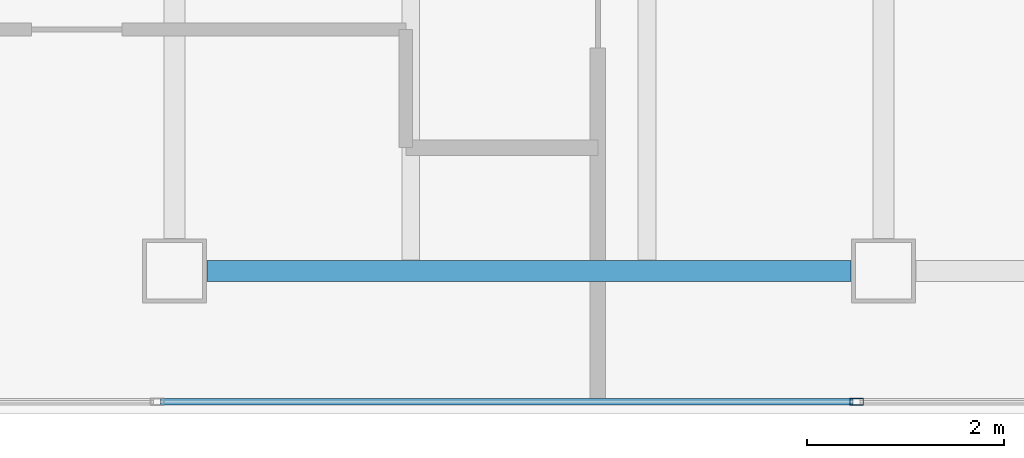
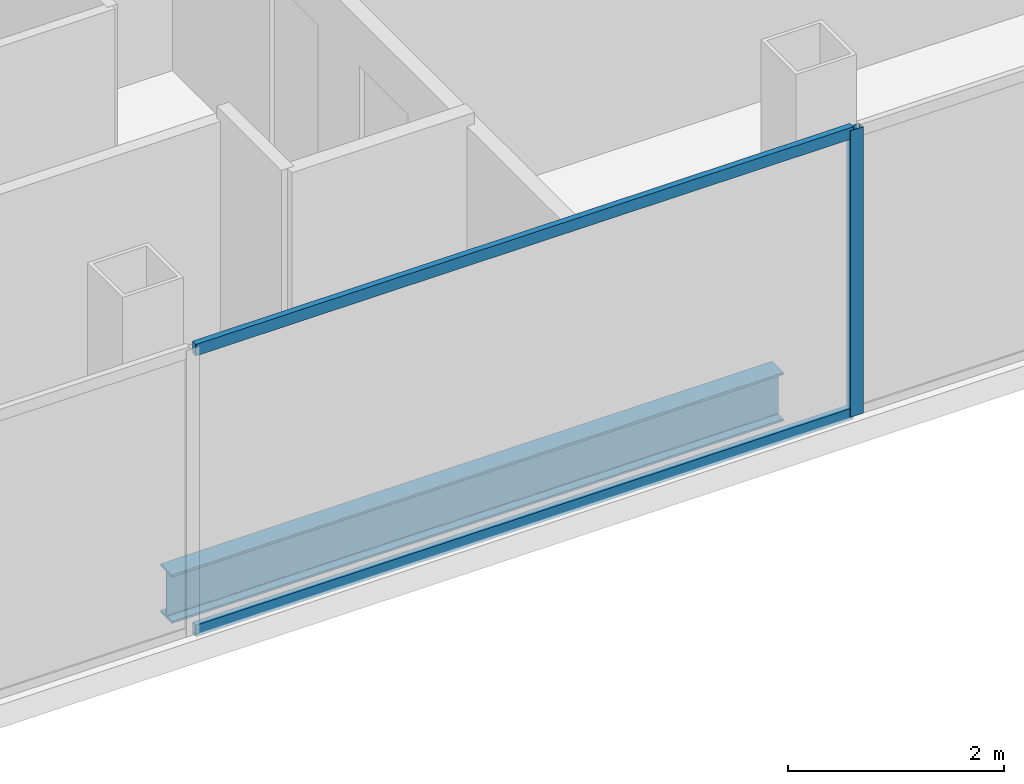
# One storey, part 6 of 24: 3 members, 1 beam, 1 element without a shape of its own.
"""IFC4 building model written with IfcOpenShell, lengths in metres."""

from ifc_helpers import new_model, si_unit, direction, frame, origin, origin_2d, place, context, subcontext, project, spatial, hollow_rectangle, i_section, extrude, material, material_profile, profile_set, type_object, element, aggregate, save


model = new_model("IFC4")

# Units and contexts
model_context = context("Model", 3, precision=1e-05, world=origin(), true_north=direction((0.0, 1.0)))
body_context = subcontext(model_context, "Body", "Model", "MODEL_VIEW")
ifc_project = project(units=[si_unit("LENGTHUNIT", "METRE"), si_unit("AREAUNIT", "SQUARE_METRE"), si_unit("VOLUMEUNIT", "CUBIC_METRE"), si_unit("PLANEANGLEUNIT", "RADIAN"), si_unit("MASSUNIT", "GRAM", prefix="KILO")], contexts=[model_context])

# Site, building, storey
site_placement = place(None, origin())
site = spatial("IfcSite", under=ifc_project, at=site_placement, CompositionType="ELEMENT")
building_placement = place(site_placement, origin())
building = spatial("IfcBuilding", under=site, at=building_placement, Name="Cobrela Telecom Tower", CompositionType="ELEMENT")
storey_placement = place(building_placement, frame((0.0, 0.0, 244.64990234375)))
storey = spatial("IfcBuildingStorey", under=building, at=storey_placement, Name="L63", CompositionType="ELEMENT", Elevation=244.64990234375)

# Beam
ifc_material_1 = material(Name="Steel ASTM A992 Grade 50", Category="steel")
ifc_material_profile_1 = material_profile(ifc_material_1, i_section(OverallWidth=0.212890625, OverallDepth=0.549072265625, WebThickness=0.0146484375, FlangeThickness=0.023681640625, FilletRadius=0.013916015625, at=origin_2d()), Name="W21X93")
ifc_profile_set_1 = profile_set([ifc_material_profile_1], Name="Steel ASTM A992 Grade 50")
beam_type = type_object("IfcBeamType", Name="BM-GIRD-08", PredefinedType="USERDEFINED", material=ifc_profile_set_1)
beam_placement = place(storey_placement, frame((21.929931640625, 7.85009765625, -0.534423828125), z_axis=(1.0, 0.0, 0.0), x_axis=(0.0, 1.0, 0.0)))
element("IfcBeam", 1, at=beam_placement, inside=storey, type_object=beam_type, Name="L63 Primary Girder X03", ObjectType="GIRDER", PredefinedType="USERDEFINED", context=body_context, shape_type="SweptSolid", body=[
    extrude(i_section(OverallWidth=0.212890625, OverallDepth=0.549072265625, WebThickness=0.0146484375, FlangeThickness=0.023681640625, FilletRadius=0.013916015625, at=origin_2d()), origin(), (0.0, 0.0, 1.0), 6.5400390625),
])

# Curtain wall, members
ifc_material_2 = material(Name="Anodized Bronze Aluminium 6063-T6", Category="aluminium")
curtain_wall_type = type_object("IfcCurtainWallType", Name="CW-SYS-OFF-HI", PredefinedType="USERDEFINED", material=ifc_material_2)
curtain_wall_placement = place(storey_placement, origin())
curtain_wall = element("IfcCurtainWall", 2, at=curtain_wall_placement, inside=storey, type_object=curtain_wall_type, Name="L63 Unitised Bronze Curtain Wall 15", ObjectType="UNITISED CURTAIN WALL", PredefinedType="USERDEFINED")
ifc_material_profile_2 = material_profile(ifc_material_2, hollow_rectangle(XDim=0.070068359375, YDim=0.139892578125, WallThickness=0.00390625, at=origin_2d()), Name="ALU 70x140x4")
ifc_profile_set_2 = profile_set([ifc_material_profile_2], Name="Anodized Bronze Aluminium 6063-T6")
member_type_1 = type_object("IfcMemberType", Name="CW-SYS-OFF-HI-MUL", PredefinedType="MULLION", material=ifc_profile_set_2)
member_1_placement = place(storey_placement, frame((28.526611328125, 6.52001953125, 0.0), z_axis=(0.0, 0.0, 1.0), x_axis=(0.0, -1.0, 0.0)))
member_1 = element("IfcMember", 3, at=member_1_placement, type_object=member_type_1, Name="CW-OFF-HI mullion 3", PredefinedType="MULLION", context=body_context, shape_type="SweptSolid", body=[
    extrude(hollow_rectangle(XDim=0.070068359375, YDim=0.139892578125, WallThickness=0.00390625, at=origin_2d()), origin(), (0.0, 0.0, 1.0), 3.239990234375),
])
ifc_material_profile_3 = material_profile(ifc_material_2, hollow_rectangle(XDim=0.06494140625, YDim=0.1298828125, WallThickness=0.00390625, at=origin_2d()), Name="ALU 65x130x4")
ifc_profile_set_3 = profile_set([ifc_material_profile_3], Name="Anodized Bronze Aluminium 6063-T6")
member_type_2 = type_object("IfcMemberType", Name="CW-SYS-OFF-HI-TRN", PredefinedType="USERDEFINED", material=ifc_profile_set_3)
member_2_placement = place(storey_placement, frame((28.49169921875, 6.52001953125, 0.03271484375), z_axis=(-1.0, 0.0, 0.0), x_axis=(0.0, -1.0, 0.0)))
member_2 = element("IfcMember", 4, at=member_2_placement, type_object=member_type_2, Name="CW-OFF-HI transom 3.1", ObjectType="TRANSOM", PredefinedType="USERDEFINED", context=body_context, shape_type="SweptSolid", body=[
    extrude(hollow_rectangle(XDim=0.06494140625, YDim=0.1298828125, WallThickness=0.00390625, at=origin_2d()), origin(), (0.0, 0.0, 1.0), 7.03173828125),
])
member_3_placement = place(storey_placement, frame((28.49169921875, 6.52001953125, 3.20751953125), z_axis=(-1.0, 0.0, 0.0), x_axis=(0.0, -1.0, 0.0)))
member_3 = element("IfcMember", 5, at=member_3_placement, type_object=member_type_2, Name="CW-OFF-HI transom 3.2", ObjectType="TRANSOM", PredefinedType="USERDEFINED", context=body_context, shape_type="SweptSolid", body=[
    extrude(hollow_rectangle(XDim=0.06494140625, YDim=0.1298828125, WallThickness=0.00390625, at=origin_2d()), origin(), (0.0, 0.0, 1.0), 7.03173828125),
])
aggregate(curtain_wall, [member_1, member_2, member_3])

save(model, "model.ifc")
